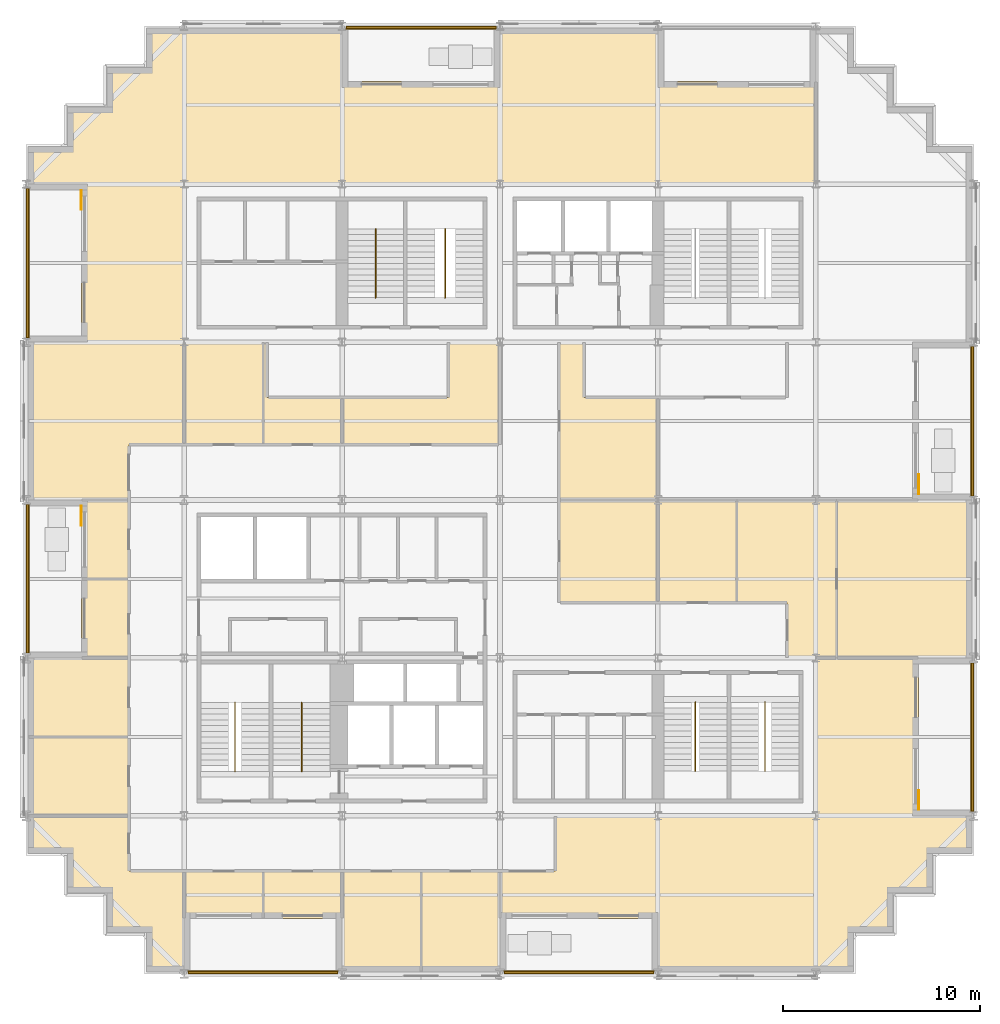
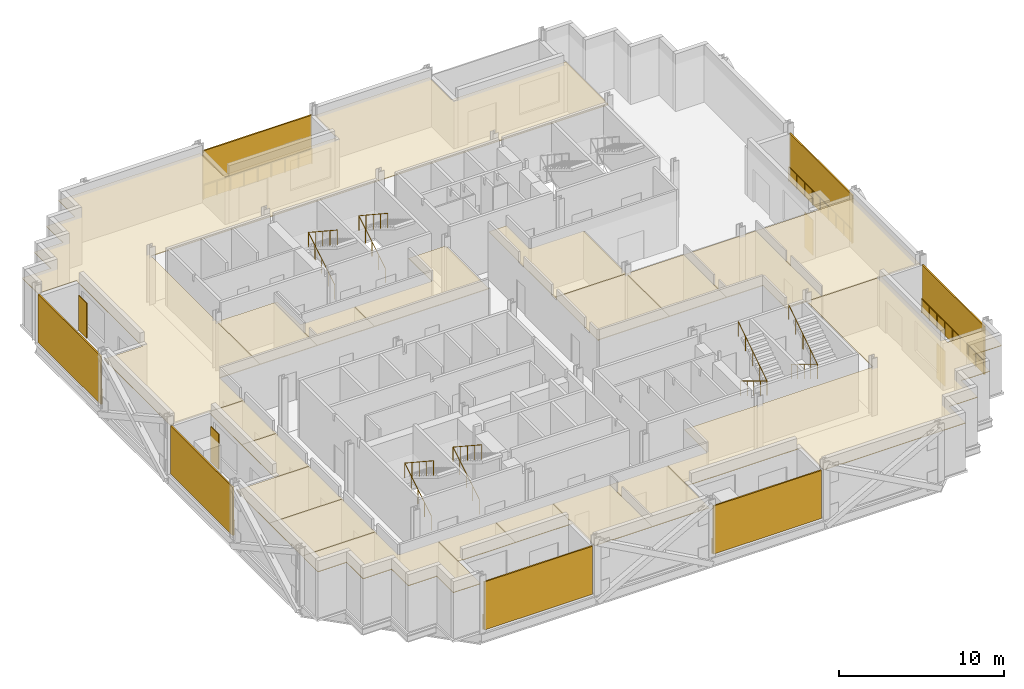
# One storey, part 13 of 15: 19 coverings, 13 railings, 11 shading devices.
"""IFC4 building model written with IfcOpenShell, lengths in metres."""

from ifc_helpers import new_model, si_unit, direction, frame, origin, origin_2d, place, context, subcontext, project, spatial, polyline, rectangle, circle, outline, extrude, material, layer, layer_set, type_object, element, save


model = new_model("IFC4")

# Units and contexts
model_context = context("Model", 3, precision=1e-05, world=origin(), true_north=direction((0.0, 1.0)))
body_context = subcontext(model_context, "Body", "Model", "MODEL_VIEW")
ifc_project = project(units=[si_unit("LENGTHUNIT", "METRE"), si_unit("AREAUNIT", "SQUARE_METRE"), si_unit("VOLUMEUNIT", "CUBIC_METRE"), si_unit("PLANEANGLEUNIT", "RADIAN"), si_unit("MASSUNIT", "GRAM", prefix="KILO")], contexts=[model_context])

# Site, building, storey
site_placement = place(None, origin())
site = spatial("IfcSite", under=ifc_project, at=site_placement, CompositionType="ELEMENT")
building_placement = place(site_placement, origin())
building = spatial("IfcBuilding", under=site, at=building_placement, Name="Immortelle Media Tower", CompositionType="ELEMENT")
storey_placement = place(building_placement, frame((0.0, 0.0, 83.199951171875)))
storey = spatial("IfcBuildingStorey", under=building, at=storey_placement, Name="L15", CompositionType="ELEMENT", Elevation=83.199951171875)

# Railings
ifc_material_1 = material(Name="Powder-coated aluminium fretwork panel, laminated glass backing", Category="aluminium")
railing_type_1 = type_object("IfcRailingType", Name="Fretwork balustrade 1100", PredefinedType="BALUSTRADE", material=ifc_material_1)
railing_1_placement = place(storey_placement, frame((0.139892578125, 39.800537109375, 0.0)))
element("IfcRailing", 1, at=railing_1_placement, inside=storey, type_object=railing_type_1, Name="Fretwork balustrade L15 W0", PredefinedType="BALUSTRADE", context=body_context, shape_type="SweptSolid", body=[
    extrude(circle(Radius=0.02490234375, at=origin_2d()), frame((0.0, 0.0, 1.0751953125), z_axis=(0.0, -1.0, 0.0), x_axis=(1.0, 0.0, 0.0)), (0.0, 0.0, 1.0), 7.58349609375),
    extrude(circle(Radius=0.02001953125, at=origin_2d()), origin(), (0.0, 0.0, 1.0), 1.050048828125),
    extrude(circle(Radius=0.02001953125, at=origin_2d()), frame((0.0, -0.947998046875, 0.0)), (0.0, 0.0, 1.0), 1.050048828125),
    extrude(circle(Radius=0.02001953125, at=origin_2d()), frame((0.0, -1.89599609375, 0.0)), (0.0, 0.0, 1.0), 1.050048828125),
    extrude(circle(Radius=0.02001953125, at=origin_2d()), frame((0.0, -2.84375, 0.0)), (0.0, 0.0, 1.0), 1.050048828125),
    extrude(circle(Radius=0.02001953125, at=origin_2d()), frame((0.0, -3.791748046875, 0.0)), (0.0, 0.0, 1.0), 1.050048828125),
    extrude(circle(Radius=0.02001953125, at=origin_2d()), frame((0.0, -4.73974609375, 0.0)), (0.0, 0.0, 1.0), 1.050048828125),
    extrude(circle(Radius=0.02001953125, at=origin_2d()), frame((0.0, -5.6875, 0.0)), (0.0, 0.0, 1.0), 1.050048828125),
    extrude(circle(Radius=0.02001953125, at=origin_2d()), frame((0.0, -6.635498046875, 0.0)), (0.0, 0.0, 1.0), 1.050048828125),
    extrude(circle(Radius=0.02001953125, at=origin_2d()), frame((0.0, -7.58349609375, 0.0)), (0.0, 0.0, 1.0), 1.050048828125),
])
railing_2_placement = place(storey_placement, frame((0.139892578125, 23.782958984375, 0.0)))
element("IfcRailing", 2, at=railing_2_placement, inside=storey, type_object=railing_type_1, Name="Fretwork balustrade L15 W2", PredefinedType="BALUSTRADE", context=body_context, shape_type="SweptSolid", body=[
    extrude(circle(Radius=0.02490234375, at=origin_2d()), frame((0.0, 0.0, 1.0751953125), z_axis=(0.0, -1.0, 0.0), x_axis=(1.0, 0.0, 0.0)), (0.0, 0.0, 1.0), 7.533935546875),
    extrude(circle(Radius=0.02001953125, at=origin_2d()), origin(), (0.0, 0.0, 1.0), 1.050048828125),
    extrude(circle(Radius=0.02001953125, at=origin_2d()), frame((0.0, -0.941650390625, 0.0)), (0.0, 0.0, 1.0), 1.050048828125),
    extrude(circle(Radius=0.02001953125, at=origin_2d()), frame((0.0, -1.883544921875, 0.0)), (0.0, 0.0, 1.0), 1.050048828125),
    extrude(circle(Radius=0.02001953125, at=origin_2d()), frame((0.0, -2.8251953125, 0.0)), (0.0, 0.0, 1.0), 1.050048828125),
    extrude(circle(Radius=0.02001953125, at=origin_2d()), frame((0.0, -3.76708984375, 0.0)), (0.0, 0.0, 1.0), 1.050048828125),
    extrude(circle(Radius=0.02001953125, at=origin_2d()), frame((0.0, -4.708740234375, 0.0)), (0.0, 0.0, 1.0), 1.050048828125),
    extrude(circle(Radius=0.02001953125, at=origin_2d()), frame((0.0, -5.650390625, 0.0)), (0.0, 0.0, 1.0), 1.050048828125),
    extrude(circle(Radius=0.02001953125, at=origin_2d()), frame((0.0, -6.59228515625, 0.0)), (0.0, 0.0, 1.0), 1.050048828125),
    extrude(circle(Radius=0.02001953125, at=origin_2d()), frame((0.0, -7.533935546875, 0.0)), (0.0, 0.0, 1.0), 1.050048828125),
])
railing_3_placement = place(storey_placement, frame((8.20947265625, 0.139892578125, 0.0)))
element("IfcRailing", 3, at=railing_3_placement, inside=storey, type_object=railing_type_1, Name="Fretwork balustrade L15 S0", PredefinedType="BALUSTRADE", context=body_context, shape_type="SweptSolid", body=[
    extrude(circle(Radius=0.02490234375, at=origin_2d()), frame((0.0, 0.0, 1.0751953125), z_axis=(1.0, 0.0, 0.0), x_axis=(0.0, 1.0, 0.0)), (0.0, 0.0, 1.0), 7.574462890625),
    extrude(circle(Radius=0.02001953125, at=origin_2d()), origin(), (0.0, 0.0, 1.0), 1.050048828125),
    extrude(circle(Radius=0.02001953125, at=origin_2d()), frame((0.94677734375, 0.0, 0.0)), (0.0, 0.0, 1.0), 1.050048828125),
    extrude(circle(Radius=0.02001953125, at=origin_2d()), frame((1.8935546875, 0.0, 0.0)), (0.0, 0.0, 1.0), 1.050048828125),
    extrude(circle(Radius=0.02001953125, at=origin_2d()), frame((2.84033203125, 0.0, 0.0)), (0.0, 0.0, 1.0), 1.050048828125),
    extrude(circle(Radius=0.02001953125, at=origin_2d()), frame((3.787109375, 0.0, 0.0)), (0.0, 0.0, 1.0), 1.050048828125),
    extrude(circle(Radius=0.02001953125, at=origin_2d()), frame((4.734130859375, 0.0, 0.0)), (0.0, 0.0, 1.0), 1.050048828125),
    extrude(circle(Radius=0.02001953125, at=origin_2d()), frame((5.680908203125, 0.0, 0.0)), (0.0, 0.0, 1.0), 1.050048828125),
    extrude(circle(Radius=0.02001953125, at=origin_2d()), frame((6.627685546875, 0.0, 0.0)), (0.0, 0.0, 1.0), 1.050048828125),
    extrude(circle(Radius=0.02001953125, at=origin_2d()), frame((7.574462890625, 0.0, 0.0)), (0.0, 0.0, 1.0), 1.050048828125),
])
railing_4_placement = place(storey_placement, frame((24.216064453125, 0.139892578125, 0.0)))
element("IfcRailing", 4, at=railing_4_placement, inside=storey, type_object=railing_type_1, Name="Fretwork balustrade L15 S2", PredefinedType="BALUSTRADE", context=body_context, shape_type="SweptSolid", body=[
    extrude(circle(Radius=0.02490234375, at=origin_2d()), frame((0.0, 0.0, 1.0751953125), z_axis=(1.0, 0.0, 0.0), x_axis=(0.0, 1.0, 0.0)), (0.0, 0.0, 1.0), 7.56787109375),
    extrude(circle(Radius=0.02001953125, at=origin_2d()), origin(), (0.0, 0.0, 1.0), 1.050048828125),
    extrude(circle(Radius=0.02001953125, at=origin_2d()), frame((0.946044921875, 0.0, 0.0)), (0.0, 0.0, 1.0), 1.050048828125),
    extrude(circle(Radius=0.02001953125, at=origin_2d()), frame((1.89208984375, 0.0, 0.0)), (0.0, 0.0, 1.0), 1.050048828125),
    extrude(circle(Radius=0.02001953125, at=origin_2d()), frame((2.837890625, 0.0, 0.0)), (0.0, 0.0, 1.0), 1.050048828125),
    extrude(circle(Radius=0.02001953125, at=origin_2d()), frame((3.783935546875, 0.0, 0.0)), (0.0, 0.0, 1.0), 1.050048828125),
    extrude(circle(Radius=0.02001953125, at=origin_2d()), frame((4.72998046875, 0.0, 0.0)), (0.0, 0.0, 1.0), 1.050048828125),
    extrude(circle(Radius=0.02001953125, at=origin_2d()), frame((5.67578125, 0.0, 0.0)), (0.0, 0.0, 1.0), 1.050048828125),
    extrude(circle(Radius=0.02001953125, at=origin_2d()), frame((6.621826171875, 0.0, 0.0)), (0.0, 0.0, 1.0), 1.050048828125),
    extrude(circle(Radius=0.02001953125, at=origin_2d()), frame((7.56787109375, 0.0, 0.0)), (0.0, 0.0, 1.0), 1.050048828125),
])
railing_5_placement = place(storey_placement, frame((47.860107421875, 8.2275390625, 0.0)))
element("IfcRailing", 5, at=railing_5_placement, inside=storey, type_object=railing_type_1, Name="Fretwork balustrade L15 E0", PredefinedType="BALUSTRADE", context=body_context, shape_type="SweptSolid", body=[
    extrude(circle(Radius=0.02490234375, at=origin_2d()), frame((0.0, 0.0, 1.0751953125), z_axis=(0.0, 1.0, 0.0), x_axis=(-1.0, 0.0, 0.0)), (0.0, 0.0, 1.0), 7.5234375),
    extrude(circle(Radius=0.02001953125, at=origin_2d()), origin(), (0.0, 0.0, 1.0), 1.050048828125),
    extrude(circle(Radius=0.02001953125, at=origin_2d()), frame((0.0, 0.9404296875, 0.0)), (0.0, 0.0, 1.0), 1.050048828125),
    extrude(circle(Radius=0.02001953125, at=origin_2d()), frame((0.0, 1.880859375, 0.0)), (0.0, 0.0, 1.0), 1.050048828125),
    extrude(circle(Radius=0.02001953125, at=origin_2d()), frame((0.0, 2.8212890625, 0.0)), (0.0, 0.0, 1.0), 1.050048828125),
    extrude(circle(Radius=0.02001953125, at=origin_2d()), frame((0.0, 3.76171875, 0.0)), (0.0, 0.0, 1.0), 1.050048828125),
    extrude(circle(Radius=0.02001953125, at=origin_2d()), frame((0.0, 4.7021484375, 0.0)), (0.0, 0.0, 1.0), 1.050048828125),
    extrude(circle(Radius=0.02001953125, at=origin_2d()), frame((0.0, 5.642578125, 0.0)), (0.0, 0.0, 1.0), 1.050048828125),
    extrude(circle(Radius=0.02001953125, at=origin_2d()), frame((0.0, 6.5830078125, 0.0)), (0.0, 0.0, 1.0), 1.050048828125),
    extrude(circle(Radius=0.02001953125, at=origin_2d()), frame((0.0, 7.5234375, 0.0)), (0.0, 0.0, 1.0), 1.050048828125),
])
railing_6_placement = place(storey_placement, frame((47.860107421875, 24.199462890625, 0.0)))
element("IfcRailing", 6, at=railing_6_placement, inside=storey, type_object=railing_type_1, Name="Fretwork balustrade L15 E2", PredefinedType="BALUSTRADE", context=body_context, shape_type="SweptSolid", body=[
    extrude(circle(Radius=0.02490234375, at=origin_2d()), frame((0.0, 0.0, 1.0751953125), z_axis=(0.0, 1.0, 0.0), x_axis=(-1.0, 0.0, 0.0)), (0.0, 0.0, 1.0), 7.60107421875),
    extrude(circle(Radius=0.02001953125, at=origin_2d()), origin(), (0.0, 0.0, 1.0), 1.050048828125),
    extrude(circle(Radius=0.02001953125, at=origin_2d()), frame((0.0, 0.9501953125, 0.0)), (0.0, 0.0, 1.0), 1.050048828125),
    extrude(circle(Radius=0.02001953125, at=origin_2d()), frame((0.0, 1.900390625, 0.0)), (0.0, 0.0, 1.0), 1.050048828125),
    extrude(circle(Radius=0.02001953125, at=origin_2d()), frame((0.0, 2.850341796875, 0.0)), (0.0, 0.0, 1.0), 1.050048828125),
    extrude(circle(Radius=0.02001953125, at=origin_2d()), frame((0.0, 3.800537109375, 0.0)), (0.0, 0.0, 1.0), 1.050048828125),
    extrude(circle(Radius=0.02001953125, at=origin_2d()), frame((0.0, 4.750732421875, 0.0)), (0.0, 0.0, 1.0), 1.050048828125),
    extrude(circle(Radius=0.02001953125, at=origin_2d()), frame((0.0, 5.70068359375, 0.0)), (0.0, 0.0, 1.0), 1.050048828125),
    extrude(circle(Radius=0.02001953125, at=origin_2d()), frame((0.0, 6.65087890625, 0.0)), (0.0, 0.0, 1.0), 1.050048828125),
    extrude(circle(Radius=0.02001953125, at=origin_2d()), frame((0.0, 7.60107421875, 0.0)), (0.0, 0.0, 1.0), 1.050048828125),
])
railing_7_placement = place(storey_placement, frame((23.799560546875, 47.860107421875, 0.0)))
element("IfcRailing", 7, at=railing_7_placement, inside=storey, type_object=railing_type_1, Name="Fretwork balustrade L15 N2", PredefinedType="BALUSTRADE", context=body_context, shape_type="SweptSolid", body=[
    extrude(circle(Radius=0.02490234375, at=origin_2d()), frame((0.0, 0.0, 1.0751953125), z_axis=(-1.0, 0.0, 0.0), x_axis=(0.0, -1.0, 0.0)), (0.0, 0.0, 1.0), 7.593994140625),
    extrude(circle(Radius=0.02001953125, at=origin_2d()), origin(), (0.0, 0.0, 1.0), 1.050048828125),
    extrude(circle(Radius=0.02001953125, at=origin_2d()), frame((-0.94921875, 0.0, 0.0)), (0.0, 0.0, 1.0), 1.050048828125),
    extrude(circle(Radius=0.02001953125, at=origin_2d()), frame((-1.8984375, 0.0, 0.0)), (0.0, 0.0, 1.0), 1.050048828125),
    extrude(circle(Radius=0.02001953125, at=origin_2d()), frame((-2.84765625, 0.0, 0.0)), (0.0, 0.0, 1.0), 1.050048828125),
    extrude(circle(Radius=0.02001953125, at=origin_2d()), frame((-3.796875, 0.0, 0.0)), (0.0, 0.0, 1.0), 1.050048828125),
    extrude(circle(Radius=0.02001953125, at=origin_2d()), frame((-4.746337890625, 0.0, 0.0)), (0.0, 0.0, 1.0), 1.050048828125),
    extrude(circle(Radius=0.02001953125, at=origin_2d()), frame((-5.695556640625, 0.0, 0.0)), (0.0, 0.0, 1.0), 1.050048828125),
    extrude(circle(Radius=0.02001953125, at=origin_2d()), frame((-6.644775390625, 0.0, 0.0)), (0.0, 0.0, 1.0), 1.050048828125),
    extrude(circle(Radius=0.02001953125, at=origin_2d()), frame((-7.593994140625, 0.0, 0.0)), (0.0, 0.0, 1.0), 1.050048828125),
])

# Shading devices
ifc_material_2 = material(Name="Pale aluminium louvre blades", Category="aluminium")
ifc_layer_1 = layer(ifc_material_2, 0.10009765625)
ifc_layer_set_1 = layer_set([ifc_layer_1], Name="Pale aluminium louvre blades")
shading_device_type_1 = type_object("IfcShadingDeviceType", Name="Jalousie screen 100", PredefinedType="JALOUSIE", material=ifc_layer_set_1)
shading_device_1_placement = place(storey_placement, frame((0.050048828125, 36.0087890625, 0.0), z_axis=(0.0, 0.0, 1.0), x_axis=(0.0, -1.0, 0.0)))
element("IfcShadingDevice", 8, at=shading_device_1_placement, inside=storey, type_object=shading_device_type_1, Name="Jalousie screen L15 W0", PredefinedType="JALOUSIE", context=body_context, shape_type="SweptSolid", body=[
    extrude(rectangle(XDim=7.58349609375, YDim=0.10009765625, at=origin_2d()), origin(), (0.0, 0.0, 1.0), 3.556884765625),
])
shading_device_2_placement = place(storey_placement, frame((0.050048828125, 20.01611328125, 0.0), z_axis=(0.0, 0.0, 1.0), x_axis=(0.0, -1.0, 0.0)))
element("IfcShadingDevice", 9, at=shading_device_2_placement, inside=storey, type_object=shading_device_type_1, Name="Jalousie screen L15 W2", PredefinedType="JALOUSIE", context=body_context, shape_type="SweptSolid", body=[
    extrude(rectangle(XDim=7.533935546875, YDim=0.10009765625, at=origin_2d()), origin(), (0.0, 0.0, 1.0), 3.556884765625),
])
shading_device_3_placement = place(storey_placement, frame((11.996826171875, 0.050048828125, 0.0), z_axis=(0.0, 0.0, 1.0), x_axis=(1.0, 0.0, 0.0)))
element("IfcShadingDevice", 10, at=shading_device_3_placement, inside=storey, type_object=shading_device_type_1, Name="Jalousie screen L15 S0", PredefinedType="JALOUSIE", context=body_context, shape_type="SweptSolid", body=[
    extrude(rectangle(XDim=7.574462890625, YDim=0.10009765625, at=origin_2d()), origin(), (0.0, 0.0, 1.0), 3.556884765625),
])
shading_device_4_placement = place(storey_placement, frame((28.0, 0.050048828125, 0.0), z_axis=(0.0, 0.0, 1.0), x_axis=(1.0, 0.0, 0.0)))
element("IfcShadingDevice", 11, at=shading_device_4_placement, inside=storey, type_object=shading_device_type_1, Name="Jalousie screen L15 S2", PredefinedType="JALOUSIE", context=body_context, shape_type="SweptSolid", body=[
    extrude(rectangle(XDim=7.568115234375, YDim=0.10009765625, at=origin_2d()), origin(), (0.0, 0.0, 1.0), 3.556884765625),
])
shading_device_5_placement = place(storey_placement, frame((47.949951171875, 11.9892578125, 0.0), z_axis=(0.0, 0.0, 1.0), x_axis=(0.0, 1.0, 0.0)))
element("IfcShadingDevice", 12, at=shading_device_5_placement, inside=storey, type_object=shading_device_type_1, Name="Jalousie screen L15 E0", PredefinedType="JALOUSIE", context=body_context, shape_type="SweptSolid", body=[
    extrude(rectangle(XDim=7.5234375, YDim=0.10009765625, at=origin_2d()), origin(), (0.0, 0.0, 1.0), 3.556884765625),
])
shading_device_6_placement = place(storey_placement, frame((47.949951171875, 28.0, 0.0), z_axis=(0.0, 0.0, 1.0), x_axis=(0.0, 1.0, 0.0)))
element("IfcShadingDevice", 13, at=shading_device_6_placement, inside=storey, type_object=shading_device_type_1, Name="Jalousie screen L15 E2", PredefinedType="JALOUSIE", context=body_context, shape_type="SweptSolid", body=[
    extrude(rectangle(XDim=7.60107421875, YDim=0.10009765625, at=origin_2d()), origin(), (0.0, 0.0, 1.0), 3.556884765625),
])
shading_device_7_placement = place(storey_placement, frame((20.00244140625, 47.949951171875, 0.0), z_axis=(0.0, 0.0, 1.0), x_axis=(-1.0, 0.0, 0.0)))
element("IfcShadingDevice", 14, at=shading_device_7_placement, inside=storey, type_object=shading_device_type_1, Name="Jalousie screen L15 N2", PredefinedType="JALOUSIE", context=body_context, shape_type="SweptSolid", body=[
    extrude(rectangle(XDim=7.593994140625, YDim=0.10009765625, at=origin_2d()), origin(), (0.0, 0.0, 1.0), 3.556884765625),
])
ifc_material_3 = material(Name="Pale aluminium louvre blades in a folding frame", Category="aluminium")
ifc_layer_2 = layer(ifc_material_3, 0.050048828125)
ifc_layer_set_2 = layer_set([ifc_layer_2], Name="Pale aluminium louvre blades in a folding frame")
shading_device_type_2 = type_object("IfcShadingDeviceType", Name="Louvred loggia shutter", PredefinedType="SHUTTER", material=ifc_layer_set_2)
for number, where, z_axis, x_axis, name in (
    (15, (2.77490234375, 39.199951171875, 0.0), (0.0, 0.0, 1.0), (0.0, -1.0, 0.0), "Loggia shutter L15 W0"),
    (16, (2.77490234375, 23.199951171875, 0.0), (0.0, 0.0, 1.0), (0.0, -1.0, 0.0), "Loggia shutter L15 W2"),
    (17, (45.22509765625, 8.800048828125, 0.0), (0.0, 0.0, 1.0), (0.0, 1.0, 0.0), "Loggia shutter L15 E0"),
    (18, (45.22509765625, 24.800048828125, 0.0), (0.0, 0.0, 1.0), (0.0, 1.0, 0.0), "Loggia shutter L15 E2"),
):
    element("IfcShadingDevice", number, at=place(storey_placement, frame(where, z_axis=z_axis, x_axis=x_axis)), inside=storey, type_object=shading_device_type_2, Name=name, PredefinedType="SHUTTER", context=body_context, shape_type="SweptSolid", body=[
        extrude(rectangle(XDim=1.0, YDim=0.050048828125, at=origin_2d()), origin(), (0.0, 0.0, 1.0), 2.60009765625),
    ])

# Railings
ifc_material_4 = material(Name="Stainless steel AISI 316", Category="steel")
railing_type_2 = type_object("IfcRailingType", Name="Stair guard 1100", PredefinedType="GUARDRAIL", material=ifc_material_4)
for number, where, name in (
    (19, (10.574951171875, 10.5400390625, 0.176025390625), "Stair guard SW1"),
    (20, (13.949951171875, 10.5400390625, 0.176025390625), "Stair guard SW2"),
):
    element("IfcRailing", number, at=place(storey_placement, frame(where)), inside=storey, type_object=railing_type_2, Name=name, PredefinedType="GUARDRAIL", context=body_context, shape_type="SweptSolid", body=[
        extrude(circle(Radius=0.02392578125, at=origin_2d()), frame((0.0, 0.0, 1.076171875), z_axis=(0.0, 0.854872504309, 0.518838126371), x_axis=(-1.0, 0.0, 0.0)), (0.0, 0.0, 1.0), 3.7314453125),
        extrude(circle(Radius=0.02392578125, at=origin_2d()), frame((0.0, 3.18994140625, 3.01220703125), z_axis=(0.0, -0.835568629342, 0.549386080693), x_axis=(1.0, 0.0, 0.0)), (0.0, 0.0, 1.0), 4.164794921875),
        extrude(circle(Radius=0.02099609375, at=origin_2d()), origin(), (0.0, 0.0, 1.0), 1.052001953125),
        extrude(circle(Radius=0.02099609375, at=origin_2d()), frame((0.0, 0.79736328125, 0.48388671875)), (0.0, 0.0, 1.0), 1.052001953125),
        extrude(circle(Radius=0.02099609375, at=origin_2d()), frame((0.0, 1.594970703125, 0.968017578125)), (0.0, 0.0, 1.0), 1.052001953125),
        extrude(circle(Radius=0.02099609375, at=origin_2d()), frame((0.0, 2.392578125, 1.4521484375)), (0.0, 0.0, 1.0), 1.052001953125),
        extrude(circle(Radius=0.02099609375, at=origin_2d()), frame((0.0, 3.18994140625, 1.93603515625)), (0.0, 0.0, 1.0), 1.052001953125),
        extrude(circle(Radius=0.02099609375, at=origin_2d()), frame((0.0, 2.31982421875, 2.508056640625)), (0.0, 0.0, 1.0), 1.052001953125),
        extrude(circle(Radius=0.02099609375, at=origin_2d()), frame((0.0, 1.449951171875, 3.080078125)), (0.0, 0.0, 1.0), 1.052001953125),
        extrude(circle(Radius=0.02099609375, at=origin_2d()), frame((0.0, 0.580078125, 3.652099609375)), (0.0, 0.0, 1.0), 1.052001953125),
        extrude(circle(Radius=0.02099609375, at=origin_2d()), frame((0.0, -0.2900390625, 4.22412109375)), (0.0, 0.0, 1.0), 1.052001953125),
    ])
for number, where, name in (
    (21, (33.89990234375, 13.4599609375, 0.176025390625), "Stair guard SE1"),
    (22, (37.425048828125, 13.4599609375, 0.176025390625), "Stair guard SE2"),
):
    element("IfcRailing", number, at=place(storey_placement, frame(where)), inside=storey, type_object=railing_type_2, Name=name, PredefinedType="GUARDRAIL", context=body_context, shape_type="SweptSolid", body=[
        extrude(circle(Radius=0.02392578125, at=origin_2d()), frame((0.0, 0.0, 1.076171875), z_axis=(0.0, -0.854872504309, 0.518838126371), x_axis=(1.0, 0.0, 0.0)), (0.0, 0.0, 1.0), 3.7314453125),
        extrude(circle(Radius=0.02392578125, at=origin_2d()), frame((0.0, -3.18994140625, 3.01220703125), z_axis=(0.0, 0.835568629342, 0.549386080693), x_axis=(-1.0, 0.0, 0.0)), (0.0, 0.0, 1.0), 4.164794921875),
        extrude(circle(Radius=0.02099609375, at=origin_2d()), origin(), (0.0, 0.0, 1.0), 1.052001953125),
        extrude(circle(Radius=0.02099609375, at=origin_2d()), frame((0.0, -0.79736328125, 0.48388671875)), (0.0, 0.0, 1.0), 1.052001953125),
        extrude(circle(Radius=0.02099609375, at=origin_2d()), frame((0.0, -1.594970703125, 0.968017578125)), (0.0, 0.0, 1.0), 1.052001953125),
        extrude(circle(Radius=0.02099609375, at=origin_2d()), frame((0.0, -2.392578125, 1.4521484375)), (0.0, 0.0, 1.0), 1.052001953125),
        extrude(circle(Radius=0.02099609375, at=origin_2d()), frame((0.0, -3.18994140625, 1.93603515625)), (0.0, 0.0, 1.0), 1.052001953125),
        extrude(circle(Radius=0.02099609375, at=origin_2d()), frame((0.0, -2.31982421875, 2.508056640625)), (0.0, 0.0, 1.0), 1.052001953125),
        extrude(circle(Radius=0.02099609375, at=origin_2d()), frame((0.0, -1.449951171875, 3.080078125)), (0.0, 0.0, 1.0), 1.052001953125),
        extrude(circle(Radius=0.02099609375, at=origin_2d()), frame((0.0, -0.580078125, 3.652099609375)), (0.0, 0.0, 1.0), 1.052001953125),
        extrude(circle(Radius=0.02099609375, at=origin_2d()), frame((0.0, 0.2900390625, 4.22412109375)), (0.0, 0.0, 1.0), 1.052001953125),
    ])
for number, where, name in (
    (23, (17.699951171875, 34.5400390625, 0.176025390625), "Stair guard NW1"),
    (24, (21.22509765625, 34.5400390625, 0.176025390625), "Stair guard NW2"),
):
    element("IfcRailing", number, at=place(storey_placement, frame(where)), inside=storey, type_object=railing_type_2, Name=name, PredefinedType="GUARDRAIL", context=body_context, shape_type="SweptSolid", body=[
        extrude(circle(Radius=0.02392578125, at=origin_2d()), frame((0.0, 0.0, 1.076171875), z_axis=(0.0, 0.854872504309, 0.518838126371), x_axis=(-1.0, 0.0, 0.0)), (0.0, 0.0, 1.0), 3.7314453125),
        extrude(circle(Radius=0.02392578125, at=origin_2d()), frame((0.0, 3.18994140625, 3.01220703125), z_axis=(0.0, -0.835568629342, 0.549386080693), x_axis=(1.0, 0.0, 0.0)), (0.0, 0.0, 1.0), 4.164794921875),
        extrude(circle(Radius=0.02099609375, at=origin_2d()), origin(), (0.0, 0.0, 1.0), 1.052001953125),
        extrude(circle(Radius=0.02099609375, at=origin_2d()), frame((0.0, 0.79736328125, 0.48388671875)), (0.0, 0.0, 1.0), 1.052001953125),
        extrude(circle(Radius=0.02099609375, at=origin_2d()), frame((0.0, 1.594970703125, 0.968017578125)), (0.0, 0.0, 1.0), 1.052001953125),
        extrude(circle(Radius=0.02099609375, at=origin_2d()), frame((0.0, 2.392578125, 1.4521484375)), (0.0, 0.0, 1.0), 1.052001953125),
        extrude(circle(Radius=0.02099609375, at=origin_2d()), frame((0.0, 3.18994140625, 1.93603515625)), (0.0, 0.0, 1.0), 1.052001953125),
        extrude(circle(Radius=0.02099609375, at=origin_2d()), frame((0.0, 2.31982421875, 2.508056640625)), (0.0, 0.0, 1.0), 1.052001953125),
        extrude(circle(Radius=0.02099609375, at=origin_2d()), frame((0.0, 1.449951171875, 3.080078125)), (0.0, 0.0, 1.0), 1.052001953125),
        extrude(circle(Radius=0.02099609375, at=origin_2d()), frame((0.0, 0.580078125, 3.652099609375)), (0.0, 0.0, 1.0), 1.052001953125),
        extrude(circle(Radius=0.02099609375, at=origin_2d()), frame((0.0, -0.2900390625, 4.22412109375)), (0.0, 0.0, 1.0), 1.052001953125),
    ])

# Coverings
ifc_material_5 = material(Name="Mineral fibre tile ceiling")
ifc_layer_3 = layer(ifc_material_5, 0.050048828125)
ifc_layer_set_3 = layer_set([ifc_layer_3], Name="Mineral fibre tile ceiling")
covering_type = type_object("IfcCoveringType", Name="Suspended ceiling 50", PredefinedType="CEILING", material=ifc_layer_set_3)
covering_1_placement = place(storey_placement, frame((0.0, 0.0, 3.420166015625)))
element("IfcCovering", 25, at=covering_1_placement, inside=storey, type_object=covering_type, Name="Ceiling L15-001", PredefinedType="CEILING", context=body_context, shape_type="SweptSolid", body=[
    extrude(outline(polyline([(16.0, 2.800048828125), (16.0, 5.199951171875), (20.0, 5.199951171875), (20.0, 0.10009765625), (16.0, 0.10009765625), (16.0, 2.800048828125)])), origin(), (0.0, 0.0, 1.0), 0.0498046875),
])
covering_2_placement = place(storey_placement, frame((0.0, 0.0, 3.420166015625)))
element("IfcCovering", 26, at=covering_2_placement, inside=storey, type_object=covering_type, Name="Ceiling L15-002", PredefinedType="CEILING", context=body_context, shape_type="SweptSolid", body=[
    extrude(outline(polyline([(24.0, 5.199951171875), (24.0, 2.800048828125), (24.0, 0.10009765625), (20.0, 0.10009765625), (20.0, 5.199951171875), (24.0, 5.199951171875)])), origin(), (0.0, 0.0, 1.0), 0.0498046875),
])
covering_3_placement = place(storey_placement, frame((0.0, 0.0, 3.420166015625)))
element("IfcCovering", 27, at=covering_3_placement, inside=storey, type_object=covering_type, Name="Ceiling L15-003", PredefinedType="CEILING", context=body_context, shape_type="SweptSolid", body=[
    extrude(outline(polyline([(8.0, 5.199951171875), (12.0, 5.199951171875), (12.0, 2.800048828125), (8.0, 2.800048828125), (8.0, 5.199951171875)])), origin(), (0.0, 0.0, 1.0), 0.0498046875),
])
covering_4_placement = place(storey_placement, frame((0.0, 0.0, 3.420166015625)))
element("IfcCovering", 28, at=covering_4_placement, inside=storey, type_object=covering_type, Name="Ceiling L15-004", PredefinedType="CEILING", context=body_context, shape_type="SweptSolid", body=[
    extrude(outline(polyline([(16.0, 5.199951171875), (16.0, 2.800048828125), (12.0, 2.800048828125), (12.0, 5.199951171875), (16.0, 5.199951171875)])), origin(), (0.0, 0.0, 1.0), 0.0498046875),
])
covering_5_placement = place(storey_placement, frame((0.0, 0.0, 3.420166015625)))
element("IfcCovering", 29, at=covering_5_placement, inside=storey, type_object=covering_type, Name="Ceiling L15-005", PredefinedType="CEILING", context=body_context, shape_type="SweptSolid", body=[
    extrude(outline(polyline([(6.10009765625, 0.10009765625), (6.10009765625, 2.10009765625), (4.10009765625, 2.10009765625), (4.10009765625, 4.10009765625), (2.10009765625, 4.10009765625), (2.10009765625, 6.10009765625), (0.10009765625, 6.10009765625), (0.10009765625, 8.0), (5.199951171875, 8.0), (5.199951171875, 5.199951171875), (8.0, 5.199951171875), (8.0, 2.800048828125), (8.0, 0.10009765625), (6.10009765625, 0.10009765625)])), origin(), (0.0, 0.0, 1.0), 0.0498046875),
])
covering_6_placement = place(storey_placement, frame((0.0, 0.0, 3.420166015625)))
element("IfcCovering", 30, at=covering_6_placement, inside=storey, type_object=covering_type, Name="Ceiling L15-006", PredefinedType="CEILING", context=body_context, shape_type="SweptSolid", body=[
    extrude(outline(polyline([(24.0, 5.199951171875), (26.800048828125, 5.199951171875), (26.800048828125, 8.0), (32.0, 8.0), (40.0, 8.0), (40.0, 16.0), (45.199951171875, 16.0), (45.199951171875, 8.0), (47.89990234375, 8.0), (47.89990234375, 6.10009765625), (45.89990234375, 6.10009765625), (45.89990234375, 4.10009765625), (43.89990234375, 4.10009765625), (43.89990234375, 2.10009765625), (41.89990234375, 2.10009765625), (41.89990234375, 0.10009765625), (40.0, 0.10009765625), (32.0, 0.10009765625), (32.0, 2.800048828125), (24.0, 2.800048828125), (24.0, 5.199951171875)])), origin(), (0.0, 0.0, 1.0), 0.0498046875),
])
covering_7_placement = place(storey_placement, frame((0.0, 0.0, 3.420166015625)))
element("IfcCovering", 31, at=covering_7_placement, inside=storey, type_object=covering_type, Name="Ceiling L15-007", PredefinedType="CEILING", context=body_context, shape_type="SweptSolid", body=[
    extrude(outline(polyline([(0.10009765625, 8.0), (0.10009765625, 12.0), (5.199951171875, 12.0), (5.199951171875, 8.0), (0.10009765625, 8.0)])), origin(), (0.0, 0.0, 1.0), 0.0498046875),
])
covering_8_placement = place(storey_placement, frame((0.0, 0.0, 3.420166015625)))
element("IfcCovering", 32, at=covering_8_placement, inside=storey, type_object=covering_type, Name="Ceiling L15-008", PredefinedType="CEILING", context=body_context, shape_type="SweptSolid", body=[
    extrude(outline(polyline([(0.10009765625, 16.0), (2.800048828125, 16.0), (5.199951171875, 16.0), (5.199951171875, 12.0), (0.10009765625, 12.0), (0.10009765625, 16.0)])), origin(), (0.0, 0.0, 1.0), 0.0498046875),
])
covering_9_placement = place(storey_placement, frame((0.0, 0.0, 3.420166015625)))
element("IfcCovering", 33, at=covering_9_placement, inside=storey, type_object=covering_type, Name="Ceiling L15-009", PredefinedType="CEILING", context=body_context, shape_type="SweptSolid", body=[
    extrude(outline(polyline([(5.199951171875, 16.0), (2.800048828125, 16.0), (2.800048828125, 20.0), (5.199951171875, 20.0), (5.199951171875, 19.449951171875), (5.199951171875, 16.0)])), origin(), (0.0, 0.0, 1.0), 0.0498046875),
])
covering_10_placement = place(storey_placement, frame((0.0, 0.0, 3.420166015625)))
element("IfcCovering", 34, at=covering_10_placement, inside=storey, type_object=covering_type, Name="Ceiling L15-010", PredefinedType="CEILING", context=body_context, shape_type="SweptSolid", body=[
    extrude(outline(polyline([(2.800048828125, 24.0), (5.199951171875, 24.0), (5.199951171875, 20.0), (2.800048828125, 20.0), (2.800048828125, 24.0)])), origin(), (0.0, 0.0, 1.0), 0.0498046875),
])
covering_11_placement = place(storey_placement, frame((0.0, 0.0, 3.420166015625)))
element("IfcCovering", 35, at=covering_11_placement, inside=storey, type_object=covering_type, Name="Ceiling L15-011", PredefinedType="CEILING", context=body_context, shape_type="SweptSolid", body=[
    extrude(outline(polyline([(32.0, 18.800048828125), (32.0, 24.0), (36.0, 24.0), (36.0, 18.800048828125), (32.0, 18.800048828125)])), origin(), (0.0, 0.0, 1.0), 0.0498046875),
])
covering_12_placement = place(storey_placement, frame((0.0, 0.0, 3.420166015625)))
element("IfcCovering", 36, at=covering_12_placement, inside=storey, type_object=covering_type, Name="Ceiling L15-012", PredefinedType="CEILING", context=body_context, shape_type="SweptSolid", body=[
    extrude(outline(polyline([(36.0, 18.800048828125), (36.0, 24.0), (40.0, 24.0), (41.050048828125, 24.0), (41.050048828125, 16.0), (40.0, 16.0), (38.550048828125, 16.0), (38.550048828125, 18.800048828125), (36.0, 18.800048828125)])), origin(), (0.0, 0.0, 1.0), 0.0498046875),
])
covering_13_placement = place(storey_placement, frame((0.0, 0.0, 3.420166015625)))
element("IfcCovering", 37, at=covering_13_placement, inside=storey, type_object=covering_type, Name="Ceiling L15-013", PredefinedType="CEILING", context=body_context, shape_type="SweptSolid", body=[
    extrude(outline(polyline([(45.199951171875, 24.0), (47.89990234375, 24.0), (47.89990234375, 16.0), (45.199951171875, 16.0), (41.050048828125, 16.0), (41.050048828125, 24.0), (45.199951171875, 24.0)])), origin(), (0.0, 0.0, 1.0), 0.0498046875),
])
covering_14_placement = place(storey_placement, frame((0.0, 0.0, 3.420166015625)))
element("IfcCovering", 38, at=covering_14_placement, inside=storey, type_object=covering_type, Name="Ceiling L15-014", PredefinedType="CEILING", context=body_context, shape_type="SweptSolid", body=[
    extrude(outline(polyline([(32.0, 18.800048828125), (27.0, 18.800048828125), (27.0, 24.0), (32.0, 24.0), (32.0, 18.800048828125)])), origin(), (0.0, 0.0, 1.0), 0.0498046875),
])
covering_15_placement = place(storey_placement, frame((0.0, 0.0, 3.420166015625)))
element("IfcCovering", 39, at=covering_15_placement, inside=storey, type_object=covering_type, Name="Ceiling L15-015", PredefinedType="CEILING", context=body_context, shape_type="SweptSolid", body=[
    extrude(outline(polyline([(27.0, 24.0), (27.0, 32.0), (28.25, 32.0), (28.25, 29.199951171875), (32.0, 29.199951171875), (32.0, 24.0), (27.0, 24.0)])), origin(), (0.0, 0.0, 1.0), 0.0498046875),
])
covering_16_placement = place(storey_placement, frame((0.0, 0.0, 3.420166015625)))
element("IfcCovering", 40, at=covering_16_placement, inside=storey, type_object=covering_type, Name="Ceiling L15-016", PredefinedType="CEILING", context=body_context, shape_type="SweptSolid", body=[
    extrude(outline(polyline([(16.0, 26.800048828125), (16.0, 29.199951171875), (21.39990234375, 29.199951171875), (21.39990234375, 32.0), (24.0, 32.0), (24.0, 26.800048828125), (16.0, 26.800048828125)])), origin(), (0.0, 0.0, 1.0), 0.0498046875),
])
covering_17_placement = place(storey_placement, frame((0.0, 0.0, 3.420166015625)))
element("IfcCovering", 41, at=covering_17_placement, inside=storey, type_object=covering_type, Name="Ceiling L15-017", PredefinedType="CEILING", context=body_context, shape_type="SweptSolid", body=[
    extrude(outline(polyline([(8.0, 32.0), (12.0, 32.0), (12.0, 26.800048828125), (8.0, 26.800048828125), (8.0, 32.0)])), origin(), (0.0, 0.0, 1.0), 0.0498046875),
])
covering_18_placement = place(storey_placement, frame((0.0, 0.0, 3.420166015625)))
element("IfcCovering", 42, at=covering_18_placement, inside=storey, type_object=covering_type, Name="Ceiling L15-018", PredefinedType="CEILING", context=body_context, shape_type="SweptSolid", body=[
    extrude(outline(polyline([(12.199951171875, 32.0), (12.199951171875, 29.199951171875), (16.0, 29.199951171875), (16.0, 26.800048828125), (12.0, 26.800048828125), (12.0, 32.0), (12.199951171875, 32.0)])), origin(), (0.0, 0.0, 1.0), 0.0498046875),
])
covering_19_placement = place(storey_placement, frame((0.0, 0.0, 3.420166015625)))
element("IfcCovering", 43, at=covering_19_placement, inside=storey, type_object=covering_type, Name="Ceiling L15-020", PredefinedType="CEILING", context=body_context, shape_type="SweptSolid", body=[
    extrude(outline(polyline([(2.800048828125, 40.0), (0.10009765625, 40.0), (0.10009765625, 41.89990234375), (2.10009765625, 41.89990234375), (2.10009765625, 43.89990234375), (4.10009765625, 43.89990234375), (4.10009765625, 45.89990234375), (6.10009765625, 45.89990234375), (6.10009765625, 47.89990234375), (8.0, 47.89990234375), (16.0, 47.89990234375), (16.0, 45.199951171875), (24.0, 45.199951171875), (24.0, 47.89990234375), (32.0, 47.89990234375), (32.0, 45.199951171875), (40.0, 45.199951171875), (40.0, 40.0), (32.0, 40.0), (24.0, 40.0), (16.0, 40.0), (8.0, 40.0), (8.0, 32.0), (8.0, 26.800048828125), (5.199951171875, 26.800048828125), (5.199951171875, 24.0), (2.800048828125, 24.0), (0.10009765625, 24.0), (0.10009765625, 32.0), (2.800048828125, 32.0), (2.800048828125, 40.0)])), origin(), (0.0, 0.0, 1.0), 0.0498046875),
])

save(model, "model.ifc")
